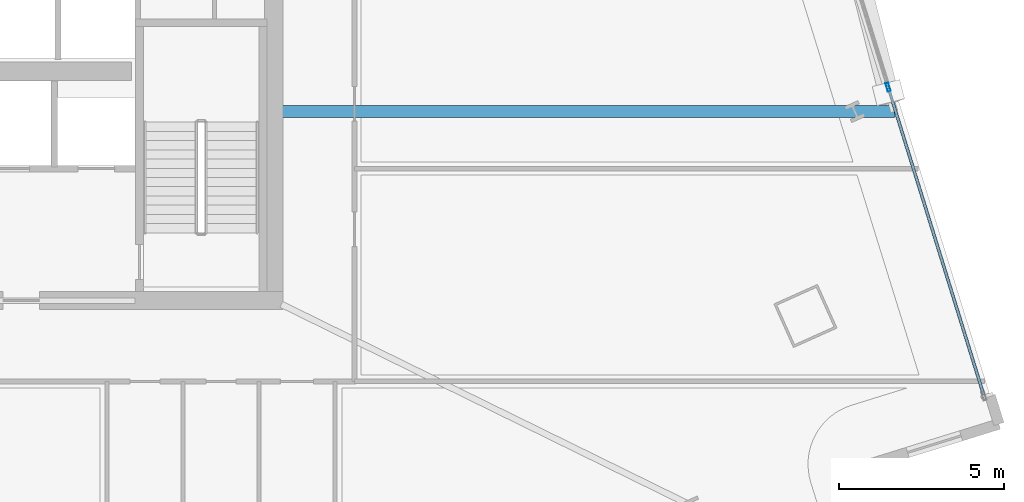
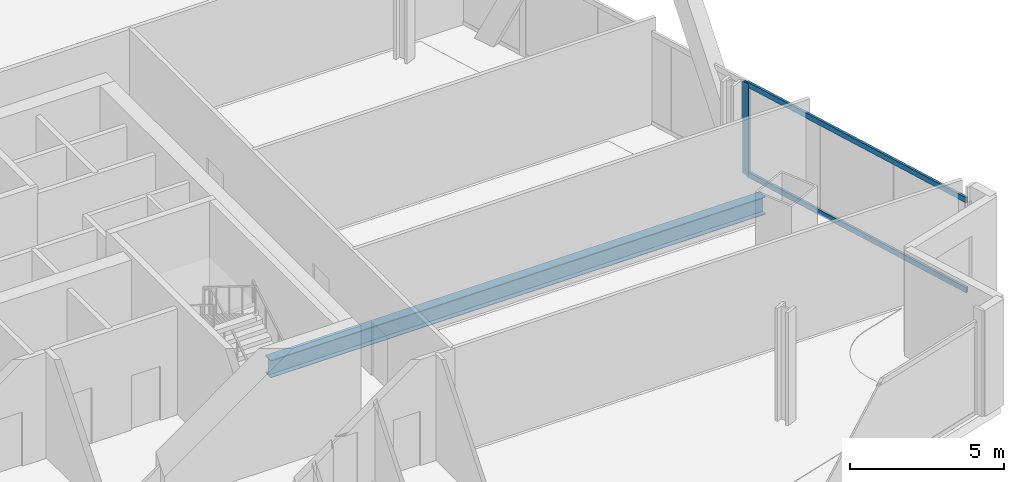
# One storey, part 8 of 26: 3 members, 1 beam, 1 element without a shape of its own.
"""IFC4 building model written with IfcOpenShell, lengths in metres."""

from ifc_helpers import new_model, si_unit, direction, frame, origin, origin_2d, place, context, subcontext, project, spatial, hollow_rectangle, i_section, extrude, material, material_profile, profile_set, type_object, element, aggregate, save


model = new_model("IFC4")

# Units and contexts
model_context = context("Model", 3, precision=1e-05, world=origin(), true_north=direction((0.0, 1.0)))
body_context = subcontext(model_context, "Body", "Model", "MODEL_VIEW")
ifc_project = project(units=[si_unit("LENGTHUNIT", "METRE"), si_unit("AREAUNIT", "SQUARE_METRE"), si_unit("VOLUMEUNIT", "CUBIC_METRE"), si_unit("PLANEANGLEUNIT", "RADIAN"), si_unit("MASSUNIT", "GRAM", prefix="KILO")], contexts=[model_context])

# Site, building, storey
site_placement = place(None, origin())
site = spatial("IfcSite", under=ifc_project, at=site_placement, CompositionType="ELEMENT")
building_placement = place(site_placement, origin())
building = spatial("IfcBuilding", under=site, at=building_placement, Name="Haldenkirk Collegiate Tower", CompositionType="ELEMENT")
storey_placement = place(building_placement, frame((0.0, 0.0, 85.949951171875)))
storey = spatial("IfcBuildingStorey", under=building, at=storey_placement, Name="L20", CompositionType="ELEMENT", Elevation=85.949951171875)

# Beam
ifc_material_1 = material(Name="Steel ASTM A992 Grade 50", Category="steel")
ifc_material_profile_1 = material_profile(ifc_material_1, i_section(OverallWidth=0.35498046875, OverallDepth=0.696044921875, WebThickness=0.015380859375, FlangeThickness=0.02490234375, at=origin_2d()), Name="W27X146")
ifc_profile_set_1 = profile_set([ifc_material_profile_1], Name="Steel ASTM A992 Grade 50")
beam_type = type_object("IfcBeamType", Name="BM-GIRDER-W27X146", PredefinedType="BEAM", material=ifc_profile_set_1)
beam_placement = place(storey_placement, frame((63.8046875, 23.727294921875, -0.758056640625), z_axis=(-1.0, 0.0, 0.0), x_axis=(0.0, -1.0, 0.0)))
element("IfcBeam", 1, at=beam_placement, inside=storey, type_object=beam_type, Name="L20 primary floor girder 08", PredefinedType="BEAM", context=body_context, shape_type="SweptSolid", body=[
    extrude(i_section(OverallWidth=0.35498046875, OverallDepth=0.696044921875, WebThickness=0.015380859375, FlangeThickness=0.02490234375, at=origin_2d()), origin(), (0.0, 0.0, 1.0), 18.5498046875),
])

# Curtain wall, members
ifc_material_2 = material(Name="Anodised architectural bronze aluminium", Category="aluminium")
curtain_wall_type = type_object("IfcCurtainWallType", Name="CW-SYS4-SKYGARDEN", PredefinedType="USERDEFINED", material=ifc_material_2)
curtain_wall_placement = place(storey_placement, origin())
curtain_wall = element("IfcCurtainWall", 2, at=curtain_wall_placement, inside=storey, type_object=curtain_wall_type, Name="L20 Sky-garden tall bronze curtain wall", ObjectType="UNITISED CURTAIN WALL", PredefinedType="USERDEFINED")
ifc_material_profile_2 = material_profile(ifc_material_2, hollow_rectangle(XDim=0.090087890625, YDim=0.260009765625, WallThickness=0.0048828125, at=origin_2d()), Name="CW-MUL-04")
ifc_profile_set_2 = profile_set([ifc_material_profile_2], Name="Anodised architectural bronze aluminium")
member_type_1 = type_object("IfcMemberType", Name="CW-MUL-04", PredefinedType="MULLION", material=ifc_profile_set_2)
member_1_placement = place(storey_placement, frame((63.61572265625, 24.470458984375, 0.0), z_axis=(0.0, 0.0, 1.0), x_axis=(0.955020249653, 0.296540592082, 0.0)))
member_1 = element("IfcMember", 3, at=member_1_placement, type_object=member_type_1, Name="CW-04 mullion 4", PredefinedType="MULLION", context=body_context, shape_type="SweptSolid", body=[
    extrude(hollow_rectangle(XDim=0.090087890625, YDim=0.260009765625, WallThickness=0.0048828125, at=origin_2d()), origin(), (0.0, 0.0, 1.0), 3.651123046875),
])
ifc_material_profile_3 = material_profile(ifc_material_2, hollow_rectangle(XDim=0.090087890625, YDim=0.2099609375, WallThickness=0.0048828125, at=origin_2d()), Name="CW-TRN-04")
ifc_profile_set_3 = profile_set([ifc_material_profile_3], Name="Anodised architectural bronze aluminium")
member_type_2 = type_object("IfcMemberType", Name="CW-TRN-04", PredefinedType="USERDEFINED", material=ifc_profile_set_3)
member_2_placement = place(storey_placement, frame((63.629150390625, 24.427490234375, 0.045166015625), z_axis=(0.296535955914, -0.955021689204, 0.0), x_axis=(0.955021689204, 0.296535955914, 0.0)))
member_2 = element("IfcMember", 4, at=member_2_placement, type_object=member_type_2, Name="CW-04 transom 4.1", ObjectType="TRANSOM", PredefinedType="USERDEFINED", context=body_context, shape_type="SweptSolid", body=[
    extrude(hollow_rectangle(XDim=0.090087890625, YDim=0.2099609375, WallThickness=0.0048828125, at=origin_2d()), origin(), (0.0, 0.0, 1.0), 9.715087890625),
])
member_3_placement = place(storey_placement, frame((63.629150390625, 24.427490234375, 3.60595703125), z_axis=(0.296535955914, -0.955021689204, 0.0), x_axis=(0.955021689204, 0.296535955914, 0.0)))
member_3 = element("IfcMember", 5, at=member_3_placement, type_object=member_type_2, Name="CW-04 transom 4.2", ObjectType="TRANSOM", PredefinedType="USERDEFINED", context=body_context, shape_type="SweptSolid", body=[
    extrude(hollow_rectangle(XDim=0.090087890625, YDim=0.2099609375, WallThickness=0.0048828125, at=origin_2d()), origin(), (0.0, 0.0, 1.0), 9.715087890625),
])
aggregate(curtain_wall, [member_1, member_2, member_3])

save(model, "model.ifc")
